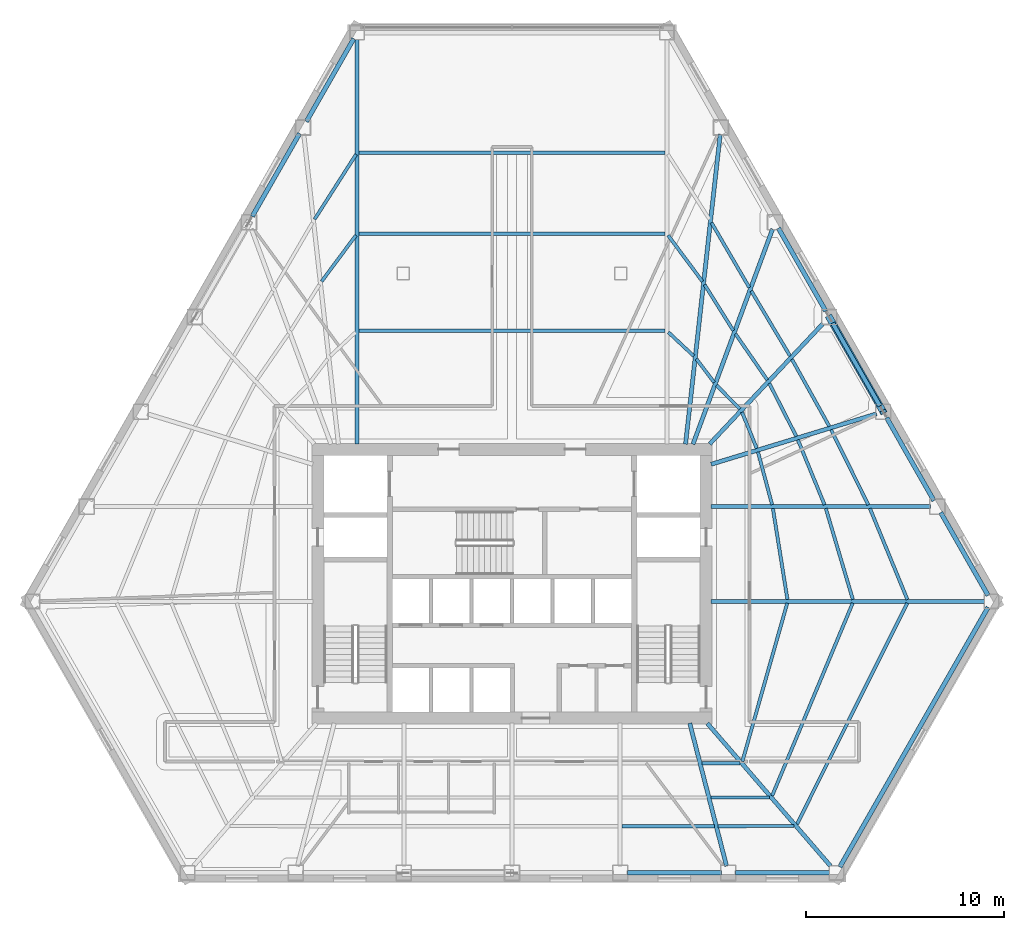
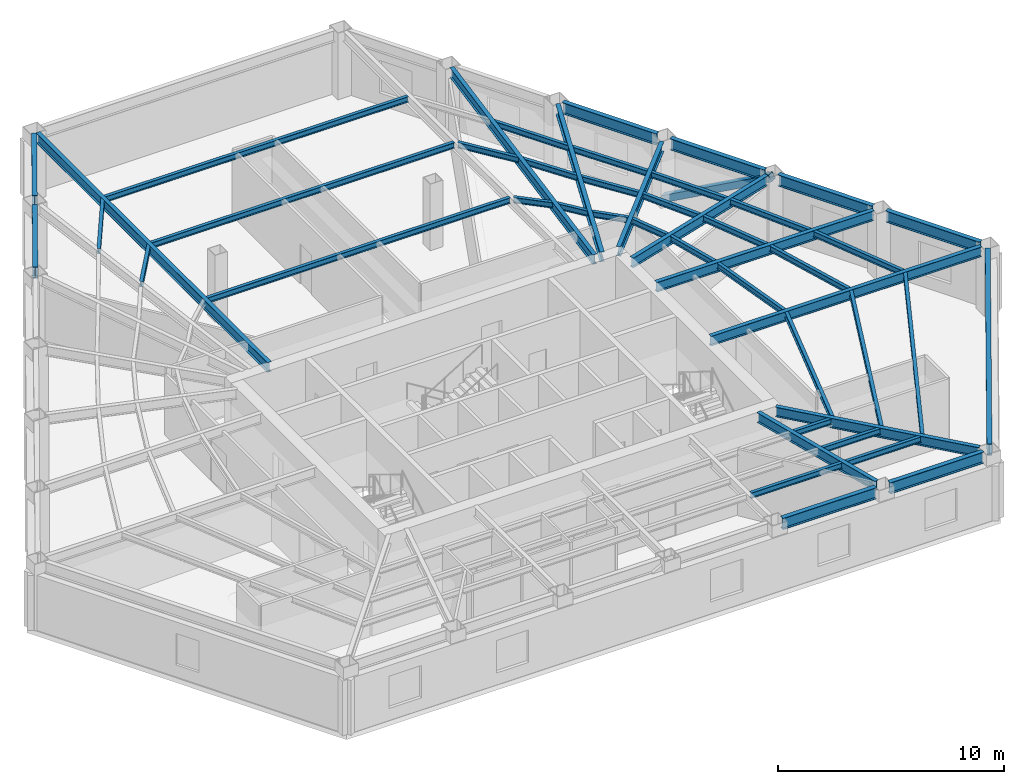
# One storey, part 2 of 12: 47 beams, 1 member.
"""IFC4 building model written with IfcOpenShell, lengths in metres."""

from ifc_helpers import new_model, si_unit, direction, frame, origin, origin_2d, place, context, subcontext, project, spatial, hollow_rectangle, i_section, extrude, material, material_profile, profile_set, type_object, element, save


model = new_model("IFC4")

# Units and contexts
model_context = context("Model", 3, precision=1e-05, world=origin(), true_north=direction((0.0, 1.0)))
body_context = subcontext(model_context, "Body", "Model", "MODEL_VIEW")
ifc_project = project(units=[si_unit("LENGTHUNIT", "METRE"), si_unit("AREAUNIT", "SQUARE_METRE"), si_unit("VOLUMEUNIT", "CUBIC_METRE"), si_unit("PLANEANGLEUNIT", "RADIAN"), si_unit("MASSUNIT", "GRAM", prefix="KILO")], contexts=[model_context])

# Site, building, storey
site_placement = place(None, origin())
site = spatial("IfcSite", under=ifc_project, at=site_placement, CompositionType="ELEMENT")
building_placement = place(site_placement, origin())
building = spatial("IfcBuilding", under=site, at=building_placement, Name="Kavelnor Concourse Tower", CompositionType="ELEMENT")
storey_placement = place(building_placement, frame((0.0, 0.0, 21.39990234375)))
storey = spatial("IfcBuildingStorey", under=building, at=storey_placement, Name="L05", CompositionType="ELEMENT", Elevation=21.39990234375)

# Beams
ifc_material = material(Name="Steel Grade 350", Category="steel")
ifc_material_profile_1 = material_profile(ifc_material, i_section(OverallWidth=0.166015625, OverallDepth=0.306884765625, WebThickness=0.006591796875, FlangeThickness=0.01171875, at=origin_2d()), Name="310UB46")
ifc_profile_set_1 = profile_set([ifc_material_profile_1], Name="Steel Grade 350")
beam_type_1 = type_object("IfcBeamType", Name="BM-JOIST-310", PredefinedType="JOIST", material=ifc_profile_set_1)
beam_1_placement = place(storey_placement, frame((43.572998046875, 3.829345703125, 3.4365234375), z_axis=(0.999999994527, 0.000104618925, 0.0), x_axis=(-0.000104618925, 0.999999994527, 0.0)))
element("IfcBeam", 1, at=beam_1_placement, inside=storey, type_object=beam_type_1, Name="L05 Secondary Composite Joist 06-3", PredefinedType="JOIST", context=body_context, shape_type="SweptSolid", body=[
    extrude(i_section(OverallWidth=0.166015625, OverallDepth=0.306884765625, WebThickness=0.006591796875, FlangeThickness=0.01171875, at=origin_2d()), origin(), (0.0, 0.0, 1.0), 4.667236328125),
])
beam_2_placement = place(storey_placement, frame((47.616943359375, 7.012939453125, 3.4365234375), z_axis=(0.999998412912, -0.001781620995, 0.0), x_axis=(0.001781620995, 0.999998412912, 0.0)))
element("IfcBeam", 2, at=beam_2_placement, inside=storey, type_object=beam_type_1, Name="L05 Secondary Composite Joist 07-1", PredefinedType="JOIST", context=body_context, shape_type="SweptSolid", body=[
    extrude(i_section(OverallWidth=0.166015625, OverallDepth=0.306884765625, WebThickness=0.006591796875, FlangeThickness=0.01171875, at=origin_2d()), origin(), (0.0, 0.0, 1.0), 1.91845703125),
])
beam_3_placement = place(storey_placement, frame((48.064453125, 5.27685546875, 3.4365234375), z_axis=(0.999999996614, 8.2290981e-05, 0.0), x_axis=(-8.2290981e-05, 0.999999996614, 0.0)))
element("IfcBeam", 3, at=beam_3_placement, inside=storey, type_object=beam_type_1, Name="L05 Secondary Composite Joist 07-2", PredefinedType="JOIST", context=body_context, shape_type="SweptSolid", body=[
    extrude(i_section(OverallWidth=0.166015625, OverallDepth=0.306884765625, WebThickness=0.006591796875, FlangeThickness=0.01171875, at=origin_2d()), origin(), (0.0, 0.0, 1.0), 2.966796875),
])
beam_4_placement = place(storey_placement, frame((48.437255859375, 3.830078125, 3.4365234375), z_axis=(0.999999603933, 0.000890018719, 0.0), x_axis=(-0.000890018719, 0.999999603933, 0.0)))
element("IfcBeam", 4, at=beam_4_placement, inside=storey, type_object=beam_type_1, Name="L05 Secondary Composite Joist 07-3", PredefinedType="JOIST", context=body_context, shape_type="SweptSolid", body=[
    extrude(i_section(OverallWidth=0.166015625, OverallDepth=0.306884765625, WebThickness=0.006591796875, FlangeThickness=0.01171875, at=origin_2d()), origin(), (0.0, 0.0, 1.0), 3.84033203125),
])
beam_5_placement = place(storey_placement, frame((49.660888671875, 7.10400390625, 3.4365234375), z_axis=(0.27269037015, 0.962101845974, 0.0), x_axis=(-0.962101845974, 0.27269037015, 0.0)))
element("IfcBeam", 5, at=beam_5_placement, inside=storey, type_object=beam_type_1, Name="L05 Secondary Composite Joist 08-1", PredefinedType="JOIST", context=body_context, shape_type="SweptSolid", body=[
    extrude(i_section(OverallWidth=0.166015625, OverallDepth=0.306884765625, WebThickness=0.006591796875, FlangeThickness=0.01171875, at=origin_2d()), origin(), (0.0, 0.0, 1.0), 8.32275390625),
])
beam_6_placement = place(storey_placement, frame((51.167724609375, 5.367919921875, 3.4365234375), z_axis=(0.38570957059, 0.922620250783, 0.0), x_axis=(-0.922620250783, 0.38570957059, 0.0)))
element("IfcBeam", 6, at=beam_6_placement, inside=storey, type_object=beam_type_1, Name="L05 Secondary Composite Joist 08-2", PredefinedType="JOIST", context=body_context, shape_type="SweptSolid", body=[
    extrude(i_section(OverallWidth=0.166015625, OverallDepth=0.306884765625, WebThickness=0.006591796875, FlangeThickness=0.01171875, at=origin_2d()), origin(), (0.0, 0.0, 1.0), 10.564697265625),
])
beam_7_placement = place(storey_placement, frame((52.420166015625, 3.921630859375, 3.4365234375), z_axis=(0.446425153632, 0.894820977741, 0.0), x_axis=(-0.894820977741, 0.446425153632, 0.0)))
element("IfcBeam", 7, at=beam_7_placement, inside=storey, type_object=beam_type_1, Name="L05 Secondary Composite Joist 08-3", PredefinedType="JOIST", context=body_context, shape_type="SweptSolid", body=[
    extrude(i_section(OverallWidth=0.166015625, OverallDepth=0.306884765625, WebThickness=0.006591796875, FlangeThickness=0.01171875, at=origin_2d()), origin(), (0.0, 0.0, 1.0), 12.5126953125),
])
beam_8_placement = place(storey_placement, frame((51.941650390625, 15.303466796875, 3.4365234375), z_axis=(-0.157778022927, 0.98747460498, 0.0), x_axis=(-0.98747460498, -0.157778022927, 0.0)))
element("IfcBeam", 8, at=beam_8_placement, inside=storey, type_object=beam_type_1, Name="L05 Secondary Composite Joist 09-1", PredefinedType="JOIST", context=body_context, shape_type="SweptSolid", body=[
    extrude(i_section(OverallWidth=0.166015625, OverallDepth=0.306884765625, WebThickness=0.006591796875, FlangeThickness=0.01171875, at=origin_2d()), origin(), (0.0, 0.0, 1.0), 4.66064453125),
])
beam_9_placement = place(storey_placement, frame((55.252685546875, 15.300537109375, 3.4365234375), z_axis=(-0.284527543542, 0.958667865825, 0.0), x_axis=(-0.958667865825, -0.284527543542, 0.0)))
element("IfcBeam", 9, at=beam_9_placement, inside=storey, type_object=beam_type_1, Name="L05 Secondary Composite Joist 09-2", PredefinedType="JOIST", context=body_context, shape_type="SweptSolid", body=[
    extrude(i_section(OverallWidth=0.166015625, OverallDepth=0.306884765625, WebThickness=0.006591796875, FlangeThickness=0.01171875, at=origin_2d()), origin(), (0.0, 0.0, 1.0), 4.806884765625),
])
beam_10_placement = place(storey_placement, frame((58.0126953125, 15.29736328125, 3.4365234375), z_axis=(-0.380114739322, 0.924939341228, 0.0), x_axis=(-0.924939341228, -0.380114739322, 0.0)))
element("IfcBeam", 10, at=beam_10_placement, inside=storey, type_object=beam_type_1, Name="L05 Secondary Composite Joist 09-3", PredefinedType="JOIST", context=body_context, shape_type="SweptSolid", body=[
    extrude(i_section(OverallWidth=0.166015625, OverallDepth=0.306884765625, WebThickness=0.006591796875, FlangeThickness=0.01171875, at=origin_2d()), origin(), (0.0, 0.0, 1.0), 4.9892578125),
])
beam_11_placement = place(storey_placement, frame((51.165283203125, 20.09814453125, 3.4365234375), z_axis=(-0.259044050326, 0.965865508231, 0.0), x_axis=(-0.965865508231, -0.259044050326, 0.0)))
element("IfcBeam", 11, at=beam_11_placement, inside=storey, type_object=beam_type_1, Name="L05 Secondary Composite Joist 10-1", PredefinedType="JOIST", context=body_context, shape_type="SweptSolid", body=[
    extrude(i_section(OverallWidth=0.166015625, OverallDepth=0.306884765625, WebThickness=0.006591796875, FlangeThickness=0.01171875, at=origin_2d()), origin(), (0.0, 0.0, 1.0), 2.760498046875),
])
beam_12_placement = place(storey_placement, frame((53.819580078125, 20.09423828125, 3.4365234375), z_axis=(-0.379764488657, 0.925083203369, 0.0), x_axis=(-0.925083203369, -0.379764488657, 0.0)))
element("IfcBeam", 12, at=beam_12_placement, inside=storey, type_object=beam_type_1, Name="L05 Secondary Composite Joist 10-2", PredefinedType="JOIST", context=body_context, shape_type="SweptSolid", body=[
    extrude(i_section(OverallWidth=0.166015625, OverallDepth=0.306884765625, WebThickness=0.006591796875, FlangeThickness=0.01171875, at=origin_2d()), origin(), (0.0, 0.0, 1.0), 3.552490234375),
])
beam_13_placement = place(storey_placement, frame((56.03515625, 20.09130859375, 3.4365234375), z_axis=(-0.444127359241, 0.895963664873, 0.0), x_axis=(-0.895963664873, -0.444127359241, 0.0)))
element("IfcBeam", 13, at=beam_13_placement, inside=storey, type_object=beam_type_1, Name="L05 Secondary Composite Joist 10-3", PredefinedType="JOIST", context=body_context, shape_type="SweptSolid", body=[
    extrude(i_section(OverallWidth=0.166015625, OverallDepth=0.306884765625, WebThickness=0.006591796875, FlangeThickness=0.01171875, at=origin_2d()), origin(), (0.0, 0.0, 1.0), 4.24365234375),
])
beam_14_placement = place(storey_placement, frame((50.3876953125, 22.95068359375, 3.4365234375), z_axis=(-0.37688079029, 0.926261771807, 0.0), x_axis=(-0.926261771807, -0.37688079029, 0.0)))
element("IfcBeam", 14, at=beam_14_placement, inside=storey, type_object=beam_type_1, Name="L05 Secondary Composite Joist 11-1", PredefinedType="JOIST", context=body_context, shape_type="SweptSolid", body=[
    extrude(i_section(OverallWidth=0.166015625, OverallDepth=0.306884765625, WebThickness=0.006591796875, FlangeThickness=0.01171875, at=origin_2d()), origin(), (0.0, 0.0, 1.0), 1.975830078125),
])
beam_15_placement = place(storey_placement, frame((52.388427734375, 23.559326171875, 3.4365234375), z_axis=(-0.45359286798, 0.891209015954, 0.0), x_axis=(-0.891209015954, -0.45359286798, 0.0)))
element("IfcBeam", 15, at=beam_15_placement, inside=storey, type_object=beam_type_1, Name="L05 Secondary Composite Joist 11-2", PredefinedType="JOIST", context=body_context, shape_type="SweptSolid", body=[
    extrude(i_section(OverallWidth=0.166015625, OverallDepth=0.306884765625, WebThickness=0.006591796875, FlangeThickness=0.01171875, at=origin_2d()), origin(), (0.0, 0.0, 1.0), 3.01025390625),
])
beam_16_placement = place(storey_placement, frame((54.058837890625, 24.06787109375, 3.4365234375), z_axis=(-0.486646615233, 0.873598919346, 0.0), x_axis=(-0.873598919346, -0.486646615233, 0.0)))
element("IfcBeam", 16, at=beam_16_placement, inside=storey, type_object=beam_type_1, Name="L05 Secondary Composite Joist 11-3", PredefinedType="JOIST", context=body_context, shape_type="SweptSolid", body=[
    extrude(i_section(OverallWidth=0.166015625, OverallDepth=0.306884765625, WebThickness=0.006591796875, FlangeThickness=0.01171875, at=origin_2d()), origin(), (0.0, 0.0, 1.0), 3.881591796875),
])
beam_17_placement = place(storey_placement, frame((49.536865234375, 24.942138671875, 3.4365234375), z_axis=(-0.701128879379, 0.713034567536, 0.0), x_axis=(-0.713034567536, -0.701128879379, 0.0)))
element("IfcBeam", 17, at=beam_17_placement, inside=storey, type_object=beam_type_1, Name="L05 Secondary Composite Joist 12-1", PredefinedType="JOIST", context=body_context, shape_type="SweptSolid", body=[
    extrude(i_section(OverallWidth=0.166015625, OverallDepth=0.306884765625, WebThickness=0.006591796875, FlangeThickness=0.01171875, at=origin_2d()), origin(), (0.0, 0.0, 1.0), 1.681396484375),
])
beam_18_placement = place(storey_placement, frame((50.92236328125, 26.410888671875, 3.4365234375), z_axis=(-0.568219875212, 0.822876766846, 0.0), x_axis=(-0.822876766846, -0.568219875212, 0.0)))
element("IfcBeam", 18, at=beam_18_placement, inside=storey, type_object=beam_type_1, Name="L05 Secondary Composite Joist 12-2", PredefinedType="JOIST", context=body_context, shape_type="SweptSolid", body=[
    extrude(i_section(OverallWidth=0.166015625, OverallDepth=0.306884765625, WebThickness=0.006591796875, FlangeThickness=0.01171875, at=origin_2d()), origin(), (0.0, 0.0, 1.0), 2.8349609375),
])
beam_19_placement = place(storey_placement, frame((52.071533203125, 27.62939453125, 3.4365234375), z_axis=(-0.511989436701, 0.85899174426, 0.0), x_axis=(-0.85899174426, -0.511989436701, 0.0)))
element("IfcBeam", 19, at=beam_19_placement, inside=storey, type_object=beam_type_1, Name="L05 Secondary Composite Joist 12-3", PredefinedType="JOIST", context=body_context, shape_type="SweptSolid", body=[
    extrude(i_section(OverallWidth=0.166015625, OverallDepth=0.306884765625, WebThickness=0.006591796875, FlangeThickness=0.01171875, at=origin_2d()), origin(), (0.0, 0.0, 1.0), 3.828125),
])
beam_20_placement = place(storey_placement, frame((48.2294921875, 26.289794921875, 3.4365234375), z_axis=(-0.602679585657, 0.797983281173, 0.0), x_axis=(-0.797983281173, -0.602679585657, 0.0)))
element("IfcBeam", 20, at=beam_20_placement, inside=storey, type_object=beam_type_1, Name="L05 Secondary Composite Joist 13-1", PredefinedType="JOIST", context=body_context, shape_type="SweptSolid", body=[
    extrude(i_section(OverallWidth=0.166015625, OverallDepth=0.306884765625, WebThickness=0.006591796875, FlangeThickness=0.01171875, at=origin_2d()), origin(), (0.0, 0.0, 1.0), 1.485107421875),
])
beam_21_placement = place(storey_placement, frame((49.203369140625, 28.908203125, 3.4365234375), z_axis=(-0.529990944069, 0.848003301412, 0.0), x_axis=(-0.848003301412, -0.529990944069, 0.0)))
element("IfcBeam", 21, at=beam_21_placement, inside=storey, type_object=beam_type_1, Name="L05 Secondary Composite Joist 13-2", PredefinedType="JOIST", context=body_context, shape_type="SweptSolid", body=[
    extrude(i_section(OverallWidth=0.166015625, OverallDepth=0.306884765625, WebThickness=0.006591796875, FlangeThickness=0.01171875, at=origin_2d()), origin(), (0.0, 0.0, 1.0), 2.74462890625),
])
beam_22_placement = place(storey_placement, frame((50.011474609375, 31.08740234375, 3.4365234375), z_axis=(-0.503479668379, 0.864007073772, 0.0), x_axis=(-0.864007073772, -0.503479668379, 0.0)))
element("IfcBeam", 22, at=beam_22_placement, inside=storey, type_object=beam_type_1, Name="L05 Secondary Composite Joist 13-3", PredefinedType="JOIST", context=body_context, shape_type="SweptSolid", body=[
    extrude(i_section(OverallWidth=0.166015625, OverallDepth=0.306884765625, WebThickness=0.006591796875, FlangeThickness=0.01171875, at=origin_2d()), origin(), (0.0, 0.0, 1.0), 3.8017578125),
])
beam_23_placement = place(storey_placement, frame((47.203125, 27.62060546875, 3.4365234375), z_axis=(-0.730182552933, 0.683252105297, 0.0), x_axis=(-0.683252105297, -0.730182552933, 0.0)))
element("IfcBeam", 23, at=beam_23_placement, inside=storey, type_object=beam_type_1, Name="L05 Secondary Composite Joist 14-1", PredefinedType="JOIST", context=body_context, shape_type="SweptSolid", body=[
    extrude(i_section(OverallWidth=0.166015625, OverallDepth=0.306884765625, WebThickness=0.006591796875, FlangeThickness=0.01171875, at=origin_2d()), origin(), (0.0, 0.0, 1.0), 1.768798828125),
])
beam_24_placement = place(storey_placement, frame((47.6376953125, 31.398193359375, 3.4365234375), z_axis=(-0.597166328118, 0.80211743315, 0.0), x_axis=(-0.80211743315, -0.597166328118, 0.0)))
element("IfcBeam", 24, at=beam_24_placement, inside=storey, type_object=beam_type_1, Name="L05 Secondary Composite Joist 14-2", PredefinedType="JOIST", context=body_context, shape_type="SweptSolid", body=[
    extrude(i_section(OverallWidth=0.166015625, OverallDepth=0.306884765625, WebThickness=0.006591796875, FlangeThickness=0.01171875, at=origin_2d()), origin(), (0.0, 0.0, 1.0), 2.91259765625),
])
for number, where, z_axis, x_axis, name in (
    (25, (45.7412109375, 28.896484375, 3.4365234375), (-1.0, 0.0, 0.0), (0.0, -1.0, 0.0), "L05 Secondary Composite Joist 15-1"),
    (26, (45.7412109375, 33.8134765625, 3.4365234375), (-1.0, 0.0, 0.0), (0.0, -1.0, 0.0), "L05 Secondary Composite Joist 15-2"),
    (27, (45.7412109375, 37.910888671875, 3.4365234375), (-1.0, 0.0, 0.0), (0.0, -1.0, 0.0), "L05 Secondary Composite Joist 15-3"),
):
    element("IfcBeam", number, at=place(storey_placement, frame(where, z_axis=z_axis, x_axis=x_axis)), inside=storey, type_object=beam_type_1, Name=name, PredefinedType="JOIST", context=body_context, shape_type="SweptSolid", body=[
        extrude(i_section(OverallWidth=0.166015625, OverallDepth=0.306884765625, WebThickness=0.006591796875, FlangeThickness=0.01171875, at=origin_2d()), origin(), (0.0, 0.0, 1.0), 15.482421875),
    ])
beam_25_placement = place(storey_placement, frame((30.1015625, 33.734375, 3.4365234375), z_axis=(-0.597166328118, -0.80211743315, 0.0), x_axis=(0.80211743315, -0.597166328118, 0.0)))
element("IfcBeam", 28, at=beam_25_placement, inside=storey, type_object=beam_type_1, Name="L05 Secondary Composite Joist 16-2", PredefinedType="JOIST", context=body_context, shape_type="SweptSolid", body=[
    extrude(i_section(OverallWidth=0.166015625, OverallDepth=0.306884765625, WebThickness=0.006591796875, FlangeThickness=0.01171875, at=origin_2d()), origin(), (0.0, 0.0, 1.0), 2.91259765625),
])
beam_26_placement = place(storey_placement, frame((30.107177734375, 37.827880859375, 3.4365234375), z_axis=(-0.538659517603, -0.842523545129, 0.0), x_axis=(0.842523545129, -0.538659517603, 0.0)))
element("IfcBeam", 29, at=beam_26_placement, inside=storey, type_object=beam_type_1, Name="L05 Secondary Composite Joist 16-3", PredefinedType="JOIST", context=body_context, shape_type="SweptSolid", body=[
    extrude(i_section(OverallWidth=0.166015625, OverallDepth=0.306884765625, WebThickness=0.006591796875, FlangeThickness=0.01171875, at=origin_2d()), origin(), (0.0, 0.0, 1.0), 3.90234375),
])
ifc_material_profile_2 = material_profile(ifc_material, i_section(OverallWidth=0.208984375, OverallDepth=0.528076171875, WebThickness=0.009521484375, FlangeThickness=0.01318359375, at=origin_2d()), Name="530UB82")
ifc_profile_set_2 = profile_set([ifc_material_profile_2], Name="Steel Grade 350")
beam_type_2 = type_object("IfcBeamType", Name="BM-PRIMARY-530", PredefinedType="BEAM", material=ifc_profile_set_2)
beam_27_placement = place(storey_placement, frame((30.160400390625, 23.159912109375, 3.326171875), z_axis=(0.0, 1.0, 0.0), x_axis=(-1.0, 0.0, 0.0)))
element("IfcBeam", 30, at=beam_27_placement, inside=storey, type_object=beam_type_2, Name="L05 Primary Floor Girder F0-B0", PredefinedType="BEAM", context=body_context, shape_type="SweptSolid", body=[
    extrude(i_section(OverallWidth=0.208984375, OverallDepth=0.528076171875, WebThickness=0.009521484375, FlangeThickness=0.01318359375, at=origin_2d()), origin(), (0.0, 0.0, 1.0), 20.487548828125),
])
beam_28_placement = place(storey_placement, frame((46.99658203125, 9.038818359375, 3.326171875), z_axis=(0.249534064599, -0.968366020988, 0.0), x_axis=(0.968366020988, 0.249534064599, 0.0)))
element("IfcBeam", 31, at=beam_28_placement, inside=storey, type_object=beam_type_2, Name="L05 Primary Floor Girder F1-B5", PredefinedType="BEAM", context=body_context, shape_type="SweptSolid", body=[
    extrude(i_section(OverallWidth=0.208984375, OverallDepth=0.528076171875, WebThickness=0.009521484375, FlangeThickness=0.01318359375, at=origin_2d()), origin(), (0.0, 0.0, 1.0), 7.470947265625),
])
beam_29_placement = place(storey_placement, frame((47.888916015625, 9.0302734375, 3.326171875), z_axis=(0.653538546599, -0.756893234287, 0.0), x_axis=(0.756893234287, 0.653538546599, 0.0)))
element("IfcBeam", 32, at=beam_29_placement, inside=storey, type_object=beam_type_2, Name="L05 Primary Floor Girder F1-B6", PredefinedType="BEAM", context=body_context, shape_type="SweptSolid", body=[
    extrude(i_section(OverallWidth=0.208984375, OverallDepth=0.528076171875, WebThickness=0.009521484375, FlangeThickness=0.01318359375, at=origin_2d()), origin(), (0.0, 0.0, 1.0), 9.5361328125),
])
beam_30_placement = place(storey_placement, frame((48.080078125, 15.206298828125, 3.326171875), z_axis=(1.0, 0.0, 0.0), x_axis=(0.0, 1.0, 0.0)))
element("IfcBeam", 33, at=beam_30_placement, inside=storey, type_object=beam_type_2, Name="L05 Primary Floor Girder F2-B0", PredefinedType="BEAM", context=body_context, shape_type="SweptSolid", body=[
    extrude(i_section(OverallWidth=0.208984375, OverallDepth=0.528076171875, WebThickness=0.009521484375, FlangeThickness=0.01318359375, at=origin_2d()), origin(), (0.0, 0.0, 1.0), 13.847412109375),
])
beam_31_placement = place(storey_placement, frame((48.080078125, 20.003173828125, 3.326171875), z_axis=(1.0, 0.0, 0.0), x_axis=(0.0, 1.0, 0.0)))
element("IfcBeam", 34, at=beam_31_placement, inside=storey, type_object=beam_type_2, Name="L05 Primary Floor Girder F2-B1", PredefinedType="BEAM", context=body_context, shape_type="SweptSolid", body=[
    extrude(i_section(OverallWidth=0.208984375, OverallDepth=0.528076171875, WebThickness=0.009521484375, FlangeThickness=0.01318359375, at=origin_2d()), origin(), (0.0, 0.0, 1.0), 11.109375),
])
beam_32_placement = place(storey_placement, frame((48.081787109375, 22.1455078125, 3.326171875), z_axis=(0.956561257848, 0.291531404799, 0.0), x_axis=(-0.291531404799, 0.956561257848, 0.0)))
element("IfcBeam", 35, at=beam_32_placement, inside=storey, type_object=beam_type_2, Name="L05 Primary Floor Girder F2-B2", PredefinedType="BEAM", context=body_context, shape_type="SweptSolid", body=[
    extrude(i_section(OverallWidth=0.208984375, OverallDepth=0.528076171875, WebThickness=0.009521484375, FlangeThickness=0.01318359375, at=origin_2d()), origin(), (0.0, 0.0, 1.0), 8.747802734375),
])
beam_33_placement = place(storey_placement, frame((48.004638671875, 23.1708984375, 3.326171875), z_axis=(0.685437716823, 0.728131263136, 0.0), x_axis=(-0.728131263136, 0.685437716823, 0.0)))
element("IfcBeam", 36, at=beam_33_placement, inside=storey, type_object=beam_type_2, Name="L05 Primary Floor Girder F2-B3", PredefinedType="BEAM", context=body_context, shape_type="SweptSolid", body=[
    extrude(i_section(OverallWidth=0.208984375, OverallDepth=0.528076171875, WebThickness=0.009521484375, FlangeThickness=0.01318359375, at=origin_2d()), origin(), (0.0, 0.0, 1.0), 8.34326171875),
])
beam_34_placement = place(storey_placement, frame((47.160888671875, 23.16259765625, 3.326171875), z_axis=(0.346953391469, 0.937882372235, 0.0), x_axis=(-0.937882372235, 0.346953391469, 0.0)))
element("IfcBeam", 37, at=beam_34_placement, inside=storey, type_object=beam_type_2, Name="L05 Primary Floor Girder F2-B4", PredefinedType="BEAM", context=body_context, shape_type="SweptSolid", body=[
    extrude(i_section(OverallWidth=0.208984375, OverallDepth=0.528076171875, WebThickness=0.009521484375, FlangeThickness=0.01318359375, at=origin_2d()), origin(), (0.0, 0.0, 1.0), 11.60986328125),
])
beam_35_placement = place(storey_placement, frame((46.783447265625, 23.16015625, 3.326171875), z_axis=(0.111229182439, 0.993794782123, 0.0), x_axis=(-0.993794782123, 0.111229182439, 0.0)))
element("IfcBeam", 38, at=beam_35_placement, inside=storey, type_object=beam_type_2, Name="L05 Primary Floor Girder F2-B5", PredefinedType="BEAM", context=body_context, shape_type="SweptSolid", body=[
    extrude(i_section(OverallWidth=0.208984375, OverallDepth=0.528076171875, WebThickness=0.009521484375, FlangeThickness=0.01318359375, at=origin_2d()), origin(), (0.0, 0.0, 1.0), 15.7880859375),
])
ifc_material_profile_3 = material_profile(ifc_material, i_section(OverallWidth=0.22900390625, OverallDepth=0.612060546875, WebThickness=0.011962890625, FlangeThickness=0.01953125, at=origin_2d()), Name="610UB125")
ifc_profile_set_3 = profile_set([ifc_material_profile_3], Name="Steel Grade 350")
beam_type_3 = type_object("IfcBeamType", Name="BM-SPANDREL-Z1", PredefinedType="SPANDREL", material=ifc_profile_set_3)
beam_36_placement = place(storey_placement, frame((29.9892578125, 43.687744140625, 3.2841796875), z_axis=(-0.49571458703, -0.868485491074, 0.0), x_axis=(0.868485491074, -0.49571458703, 0.0)))
element("IfcBeam", 39, at=beam_36_placement, inside=storey, type_object=beam_type_3, Name="L05 Perimeter Tube Spandrel Beam F0-B0", PredefinedType="SPANDREL", context=body_context, shape_type="SweptSolid", body=[
    extrude(i_section(OverallWidth=0.22900390625, OverallDepth=0.612060546875, WebThickness=0.011962890625, FlangeThickness=0.01953125, at=origin_2d()), origin(), (0.0, 0.0, 1.0), 4.83349609375),
])
beam_37_placement = place(storey_placement, frame((27.251220703125, 38.890869140625, 3.2841796875), z_axis=(-0.495698233087, -0.868494825381, 0.0), x_axis=(0.868494825381, -0.495698233087, 0.0)))
element("IfcBeam", 40, at=beam_37_placement, inside=storey, type_object=beam_type_3, Name="L05 Perimeter Tube Spandrel Beam F0-B1", PredefinedType="SPANDREL", context=body_context, shape_type="SweptSolid", body=[
    extrude(i_section(OverallWidth=0.22900390625, OverallDepth=0.612060546875, WebThickness=0.011962890625, FlangeThickness=0.01953125, at=origin_2d()), origin(), (0.0, 0.0, 1.0), 4.8330078125),
])
for number, where, z_axis, x_axis, name in (
    (41, (43.8193359375, 1.462890625, 3.2841796875), (1.0, 0.0, 0.0), (0.0, 1.0, 0.0), "L05 Perimeter Tube Spandrel Beam F1-B4"),
    (42, (49.293701171875, 1.462890625, 3.2841796875), (1.0, 0.0, 0.0), (0.0, 1.0, 0.0), "L05 Perimeter Tube Spandrel Beam F1-B5"),
):
    element("IfcBeam", number, at=place(storey_placement, frame(where, z_axis=z_axis, x_axis=x_axis)), inside=storey, type_object=beam_type_3, Name=name, PredefinedType="SPANDREL", context=body_context, shape_type="SweptSolid", body=[
        extrude(i_section(OverallWidth=0.22900390625, OverallDepth=0.612060546875, WebThickness=0.011962890625, FlangeThickness=0.01953125, at=origin_2d()), origin(), (0.0, 0.0, 1.0), 4.784423828125),
    ])
beam_38_placement = place(storey_placement, frame((62.096435546875, 15.505859375, 3.2841796875), z_axis=(-0.49571458703, 0.868485491074, 0.0), x_axis=(-0.868485491074, -0.49571458703, 0.0)))
element("IfcBeam", 43, at=beam_38_placement, inside=storey, type_object=beam_type_3, Name="L05 Perimeter Tube Spandrel Beam F2-B0", PredefinedType="SPANDREL", context=body_context, shape_type="SweptSolid", body=[
    extrude(i_section(OverallWidth=0.22900390625, OverallDepth=0.612060546875, WebThickness=0.011962890625, FlangeThickness=0.01953125, at=origin_2d()), origin(), (0.0, 0.0, 1.0), 4.83349609375),
])
for number, where, z_axis, x_axis, name in (
    (44, (59.3583984375, 20.302734375, 3.2841796875), (-0.495736333855, 0.868473078049, 0.0), (-0.868473078049, -0.495736333855, 0.0), "L05 Perimeter Tube Spandrel Beam F2-B1"),
    (45, (56.62060546875, 25.099609375, 3.2841796875), (-0.495736333855, 0.868473078049, 0.0), (-0.868473078049, -0.495736333855, 0.0), "L05 Perimeter Tube Spandrel Beam F2-B2"),
    (46, (53.882568359375, 29.896484375, 3.2841796875), (-0.495736333855, 0.868473078049, 0.0), (-0.868473078049, -0.495736333855, 0.0), "L05 Perimeter Tube Spandrel Beam F2-B3"),
):
    element("IfcBeam", number, at=place(storey_placement, frame(where, z_axis=z_axis, x_axis=x_axis)), inside=storey, type_object=beam_type_3, Name=name, PredefinedType="SPANDREL", context=body_context, shape_type="SweptSolid", body=[
        extrude(i_section(OverallWidth=0.22900390625, OverallDepth=0.612060546875, WebThickness=0.011962890625, FlangeThickness=0.01953125, at=origin_2d()), origin(), (0.0, 0.0, 1.0), 4.833251953125),
    ])
beam_39_placement = place(storey_placement, frame((54.593994140625, 1.762451171875, 3.2841796875), z_axis=(0.495718470628, 0.86848327438, 0.0), x_axis=(-0.86848327438, 0.495718470628, 0.0)))
element("IfcBeam", 47, at=beam_39_placement, inside=storey, type_object=beam_type_3, Name="L05 Chamfer Facet Spandrel Beam C2", PredefinedType="SPANDREL", context=body_context, shape_type="SweptSolid", body=[
    extrude(i_section(OverallWidth=0.22900390625, OverallDepth=0.612060546875, WebThickness=0.011962890625, FlangeThickness=0.01953125, at=origin_2d()), origin(), (0.0, 0.0, 1.0), 15.134521484375),
])

# Member
ifc_material_profile_4 = material_profile(ifc_material, hollow_rectangle(XDim=0.35009765625, YDim=0.35009765625, WallThickness=0.02001953125, at=origin_2d()), Name="SHS 350x350x20")
ifc_profile_set_4 = profile_set([ifc_material_profile_4], Name="Steel Grade 350")
member_type = type_object("IfcMemberType", Name="MBR-TUBE-DIAG-Z1", PredefinedType="BRACE", material=ifc_profile_set_4)
member_placement = place(storey_placement, frame((54.0537109375, 29.5966796875, 0.22021484375), z_axis=(0.433461045706, -0.759465188696, 0.48510220471), x_axis=(0.868498723635, 0.495691403036, 0.0)))
element("IfcMember", 48, at=member_placement, inside=storey, type_object=member_type, Name="L05 Framed-Tube Bracing Diagonal F2-B2", PredefinedType="BRACE", context=body_context, shape_type="SweptSolid", body=[
    extrude(hollow_rectangle(XDim=0.35009765625, YDim=0.35009765625, WallThickness=0.02001953125, at=origin_2d()), origin(), (0.0, 0.0, 1.0), 6.316162109375),
])

save(model, "model.ifc")
